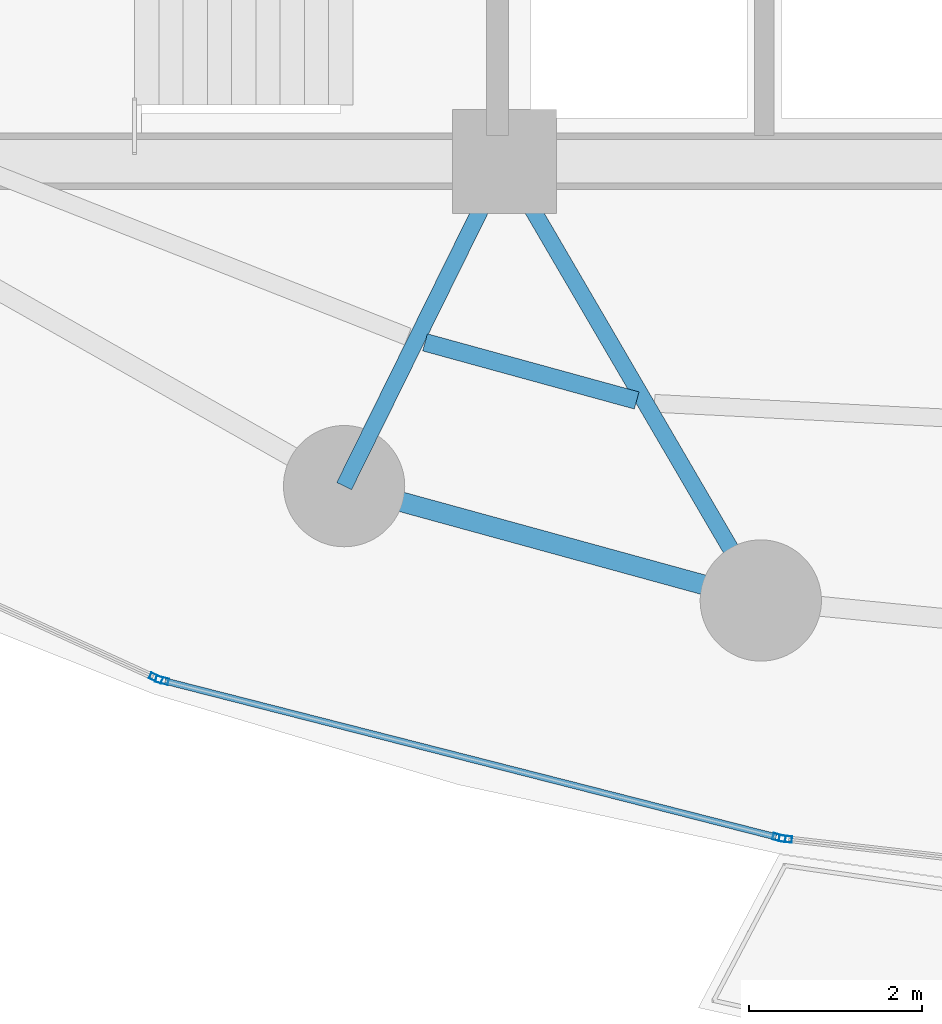
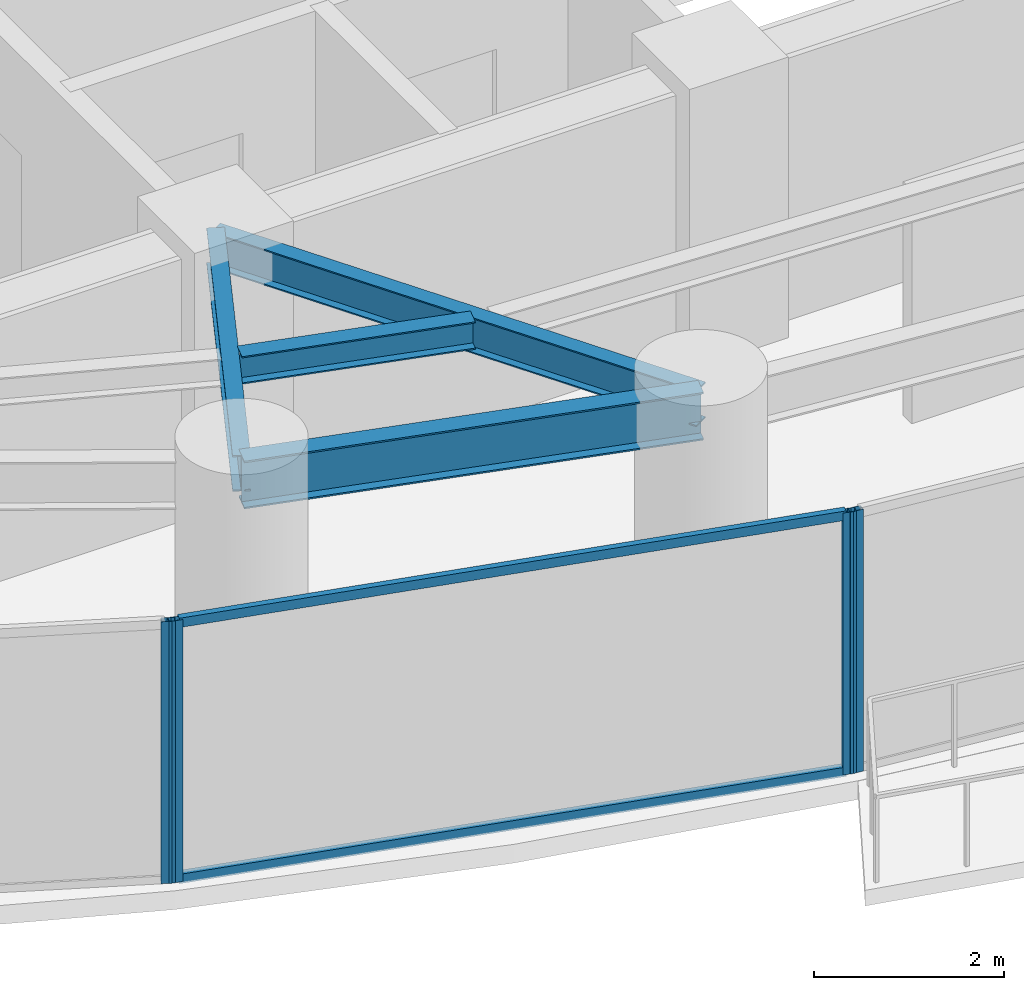
# One storey, part 5 of 33: 6 members, 4 beams, 3 elements without a shape of their own.
"""IFC4 building model written with IfcOpenShell, lengths in metres."""

from ifc_helpers import new_model, si_unit, direction, frame, origin, origin_2d, place, context, subcontext, project, spatial, hollow_rectangle, i_section, extrude, material, layer, layer_set, material_profile, profile_set, type_object, element, aggregate, save


model = new_model("IFC4")

# Units and contexts
model_context = context("Model", 3, precision=1e-05, world=origin(), true_north=direction((0.0, 1.0)))
body_context = subcontext(model_context, "Body", "Model", "MODEL_VIEW")
ifc_project = project(units=[si_unit("LENGTHUNIT", "METRE"), si_unit("AREAUNIT", "SQUARE_METRE"), si_unit("VOLUMEUNIT", "CUBIC_METRE"), si_unit("PLANEANGLEUNIT", "RADIAN"), si_unit("MASSUNIT", "GRAM", prefix="KILO")], contexts=[model_context])

# Site, building, storey
site_placement = place(None, origin())
site = spatial("IfcSite", under=ifc_project, at=site_placement, CompositionType="ELEMENT")
building_placement = place(site_placement, origin())
building = spatial("IfcBuilding", under=site, at=building_placement, Name="Kazevale Care Tower and Concert Hall", CompositionType="ELEMENT")
storey_placement = place(building_placement, frame((0.0, 0.0, 45.60009765625)))
storey = spatial("IfcBuildingStorey", under=building, at=storey_placement, Name="L11", CompositionType="ELEMENT", Elevation=45.60009765625)

# Curtain wall, member
ifc_material_1 = material(Name="Aluminium 6063-T6 and Low-E Glass", Category="aluminium")
ifc_layer = layer(ifc_material_1, 0.179931640625)
ifc_layer_set = layer_set([ifc_layer], Name="Aluminium 6063-T6 and Low-E Glass")
curtain_wall_type = type_object("IfcCurtainWallType", Name="Sheltered Concave Balcony Curtain Wall CW-5", PredefinedType="NOTDEFINED", material=ifc_layer_set)
curtain_wall_1_placement = place(storey_placement, origin())
curtain_wall_1 = element("IfcCurtainWall", 1, at=curtain_wall_1_placement, inside=storey, type_object=curtain_wall_type, Name="cw:L11:f07", PredefinedType="NOTDEFINED")
ifc_material_2 = material(Name="Aluminium 6063-T6", Category="aluminium")
ifc_material_profile_1 = material_profile(ifc_material_2, hollow_rectangle(XDim=0.074951171875, YDim=0.14990234375, WallThickness=0.00390625, at=origin_2d()), Name="ALU75x150x4")
ifc_profile_set_1 = profile_set([ifc_material_profile_1], Name="Aluminium 6063-T6")
member_type_1 = type_object("IfcMemberType", Name="CW-5 Mullion ALU75x150x4", PredefinedType="MULLION", material=ifc_profile_set_1)
member_1_placement = place(storey_placement, frame((33.245361328125, 15.77783203125, 0.0), z_axis=(0.0, 0.0, 1.0), x_axis=(-0.113704773808, -0.993514581883, 0.0)))
member_1 = element("IfcMember", 2, at=member_1_placement, type_object=member_type_1, Name="CW-5 mullion 2", PredefinedType="MULLION", context=body_context, shape_type="SweptSolid", body=[
    extrude(hollow_rectangle(XDim=0.074951171875, YDim=0.14990234375, WallThickness=0.00390625, at=origin_2d()), origin(), (0.0, 0.0, 1.0), 3.35986328125),
])
aggregate(curtain_wall_1, [member_1])

# Curtain wall, members
curtain_wall_2_placement = place(storey_placement, origin())
curtain_wall_2 = element("IfcCurtainWall", 3, at=curtain_wall_2_placement, inside=storey, type_object=curtain_wall_type, Name="cw:L11:f08", PredefinedType="NOTDEFINED")
member_2_placement = place(storey_placement, frame((33.171630859375, 15.791259765625, 0.0), z_axis=(0.0, 0.0, 1.0), x_axis=(-0.247221864936, -0.968958899798, 0.0)))
member_2 = element("IfcMember", 4, at=member_2_placement, type_object=member_type_1, Name="CW-5 mullion 1", PredefinedType="MULLION", context=body_context, shape_type="SweptSolid", body=[
    extrude(hollow_rectangle(XDim=0.074951171875, YDim=0.14990234375, WallThickness=0.00390625, at=origin_2d()), origin(), (0.0, 0.0, 1.0), 3.35986328125),
])
member_3_placement = place(storey_placement, frame((26.04833984375, 17.608642578125, 0.0), z_axis=(0.0, 0.0, 1.0), x_axis=(-0.247221864936, -0.968958899798, 0.0)))
member_3 = element("IfcMember", 5, at=member_3_placement, type_object=member_type_1, Name="CW-5 mullion 2", PredefinedType="MULLION", context=body_context, shape_type="SweptSolid", body=[
    extrude(hollow_rectangle(XDim=0.074951171875, YDim=0.14990234375, WallThickness=0.00390625, at=origin_2d()), origin(), (0.0, 0.0, 1.0), 3.35986328125),
])

# Curtain wall, member
curtain_wall_3_placement = place(storey_placement, origin())
curtain_wall_3 = element("IfcCurtainWall", 6, at=curtain_wall_3_placement, inside=storey, type_object=curtain_wall_type, Name="cw:L11:f09", PredefinedType="NOTDEFINED")
member_4_placement = place(storey_placement, frame((25.977783203125, 17.633544921875, 0.0), z_axis=(0.0, 0.0, 1.0), x_axis=(-0.415659767773, -0.909520179795, 0.0)))
member_4 = element("IfcMember", 7, at=member_4_placement, type_object=member_type_1, Name="CW-5 mullion 1", PredefinedType="MULLION", context=body_context, shape_type="SweptSolid", body=[
    extrude(hollow_rectangle(XDim=0.074951171875, YDim=0.14990234375, WallThickness=0.00390625, at=origin_2d()), origin(), (0.0, 0.0, 1.0), 3.35986328125),
])
aggregate(curtain_wall_3, [member_4])

# Member
ifc_material_profile_2 = material_profile(ifc_material_2, hollow_rectangle(XDim=0.074951171875, YDim=0.1201171875, WallThickness=0.00390625, at=origin_2d()), Name="ALU75x120x4")
ifc_profile_set_2 = profile_set([ifc_material_profile_2], Name="Aluminium 6063-T6")
member_type_2 = type_object("IfcMemberType", Name="CW-5 Transom ALU75x120x4", PredefinedType="USERDEFINED", material=ifc_profile_set_2)
member_5_placement = place(storey_placement, frame((33.13525390625, 15.800537109375, 0.037353515625), z_axis=(-0.968960816419, 0.24721435283, 0.0), x_axis=(-0.24721435283, -0.968960816419, 0.0)))
member_5 = element("IfcMember", 8, at=member_5_placement, type_object=member_type_2, Name="CW-5 transom 1.1", ObjectType="TRANSOM", PredefinedType="USERDEFINED", context=body_context, shape_type="SweptSolid", body=[
    extrude(hollow_rectangle(XDim=0.074951171875, YDim=0.1201171875, WallThickness=0.00390625, at=origin_2d()), origin(), (0.0, 0.0, 1.0), 7.2763671875),
])

member_6_placement = place(storey_placement, frame((33.13525390625, 15.800537109375, 3.322509765625), z_axis=(-0.968960816419, 0.24721435283, 0.0), x_axis=(-0.24721435283, -0.968960816419, 0.0)))
member_6 = element("IfcMember", 9, at=member_6_placement, type_object=member_type_2, Name="CW-5 transom 1.2", ObjectType="TRANSOM", PredefinedType="USERDEFINED", context=body_context, shape_type="SweptSolid", body=[
    extrude(hollow_rectangle(XDim=0.074951171875, YDim=0.1201171875, WallThickness=0.00390625, at=origin_2d()), origin(), (0.0, 0.0, 1.0), 7.2763671875),
])

aggregate(curtain_wall_2, [member_2, member_3, member_5, member_6])

# Beams
ifc_material_3 = material(Name="Steel ASTM A572 Gr 50", Category="steel")
ifc_material_profile_3 = material_profile(ifc_material_3, i_section(OverallWidth=0.19091796875, OverallDepth=0.4599609375, WebThickness=0.010009765625, FlangeThickness=0.01611328125, at=origin_2d()), Name="W460x82")
ifc_profile_set_3 = profile_set([ifc_material_profile_3], Name="Steel ASTM A572 Gr 50")
beam_type_1 = type_object("IfcBeamType", Name="Radial Floor Beam W460x82", PredefinedType="BEAM", material=ifc_profile_set_3)
beam_1_placement = place(storey_placement, frame((30.0, 23.60009765625, 3.1298828125), z_axis=(-0.442443019162, -0.896796618412, 0.0), x_axis=(0.896796618412, -0.442443019162, 0.0)))
element("IfcBeam", 10, at=beam_1_placement, inside=storey, type_object=beam_type_1, Name="beam:L11:rad:11", PredefinedType="BEAM", context=body_context, shape_type="SweptSolid", body=[
    extrude(i_section(OverallWidth=0.19091796875, OverallDepth=0.4599609375, WebThickness=0.010009765625, FlangeThickness=0.01611328125, at=origin_2d()), origin(), (0.0, 0.0, 1.0), 4.181640625),
])
beam_2_placement = place(storey_placement, frame((30.0, 23.60009765625, 3.1298828125), z_axis=(0.50417868077, -0.86359936189, 0.0), x_axis=(0.86359936189, 0.50417868077, 0.0)))
element("IfcBeam", 11, at=beam_2_placement, inside=storey, type_object=beam_type_1, Name="beam:L11:rad:12", PredefinedType="BEAM", context=body_context, shape_type="SweptSolid", body=[
    extrude(i_section(OverallWidth=0.19091796875, OverallDepth=0.4599609375, WebThickness=0.010009765625, FlangeThickness=0.01611328125, at=origin_2d()), origin(), (0.0, 0.0, 1.0), 5.870849609375),
])
ifc_material_profile_4 = material_profile(ifc_material_3, i_section(OverallWidth=0.22900390625, OverallDepth=0.612060546875, WebThickness=0.011962890625, FlangeThickness=0.01953125, at=origin_2d()), Name="W610x125")
ifc_profile_set_4 = profile_set([ifc_material_profile_4], Name="Steel ASTM A572 Gr 50")
beam_type_2 = type_object("IfcBeamType", Name="Ring Spandrel Beam W610x125", PredefinedType="SPANDREL", material=ifc_profile_set_4)
beam_3_placement = place(storey_placement, frame((28.14990234375, 19.85009765625, 3.053955078125), z_axis=(0.964343540473, -0.264653615031, 0.0), x_axis=(0.264653615031, 0.964343540473, 0.0)))
element("IfcBeam", 12, at=beam_3_placement, inside=storey, type_object=beam_type_2, Name="beam:L11:ring:11", PredefinedType="SPANDREL", context=body_context, shape_type="SweptSolid", body=[
    extrude(i_section(OverallWidth=0.22900390625, OverallDepth=0.612060546875, WebThickness=0.011962890625, FlangeThickness=0.01953125, at=origin_2d()), origin(), (0.0, 0.0, 1.0), 4.98779296875),
])
ifc_material_profile_5 = material_profile(ifc_material_3, i_section(OverallWidth=0.205078125, OverallDepth=0.35400390625, WebThickness=0.009521484375, FlangeThickness=0.016845703125, at=origin_2d()), Name="W360x79")
ifc_profile_set_5 = profile_set([ifc_material_profile_5], Name="Steel ASTM A572 Gr 50")
beam_type_3 = type_object("IfcBeamType", Name="Secondary Floor Joist W360x79", PredefinedType="JOIST", material=ifc_profile_set_5)
beam_4_placement = place(storey_placement, frame((29.083984375, 21.510009765625, 3.182861328125), z_axis=(0.964302027389, -0.264804833743, 0.0), x_axis=(0.264804833743, 0.964302027389, 0.0)))
element("IfcBeam", 13, at=beam_4_placement, inside=storey, type_object=beam_type_3, Name="beam:L11:joist:11", PredefinedType="JOIST", context=body_context, shape_type="SweptSolid", body=[
    extrude(i_section(OverallWidth=0.205078125, OverallDepth=0.35400390625, WebThickness=0.009521484375, FlangeThickness=0.016845703125, at=origin_2d()), origin(), (0.0, 0.0, 1.0), 2.533447265625),
])

save(model, "model.ifc")
